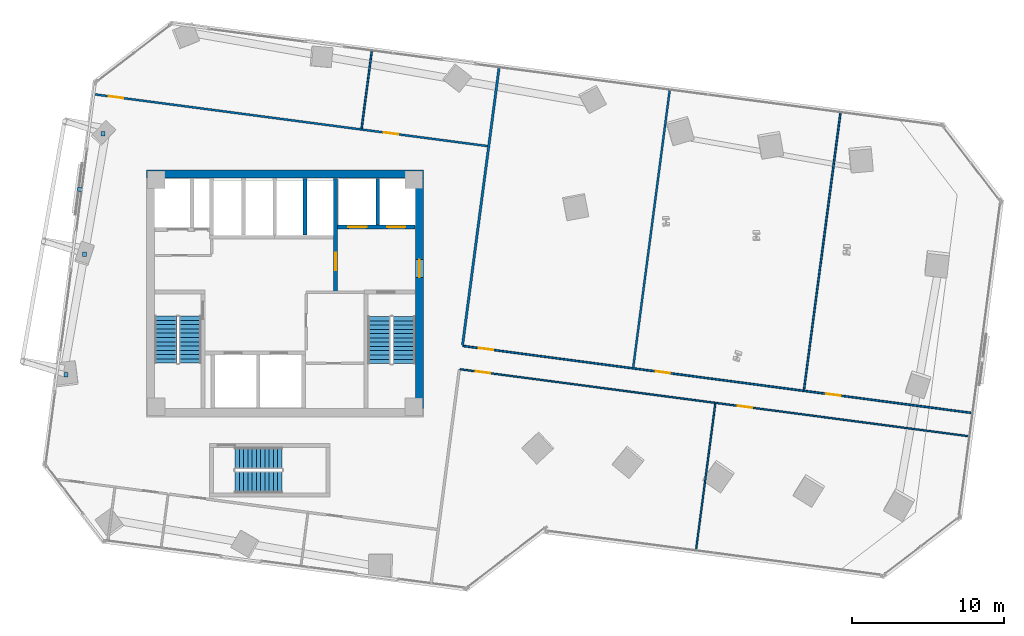
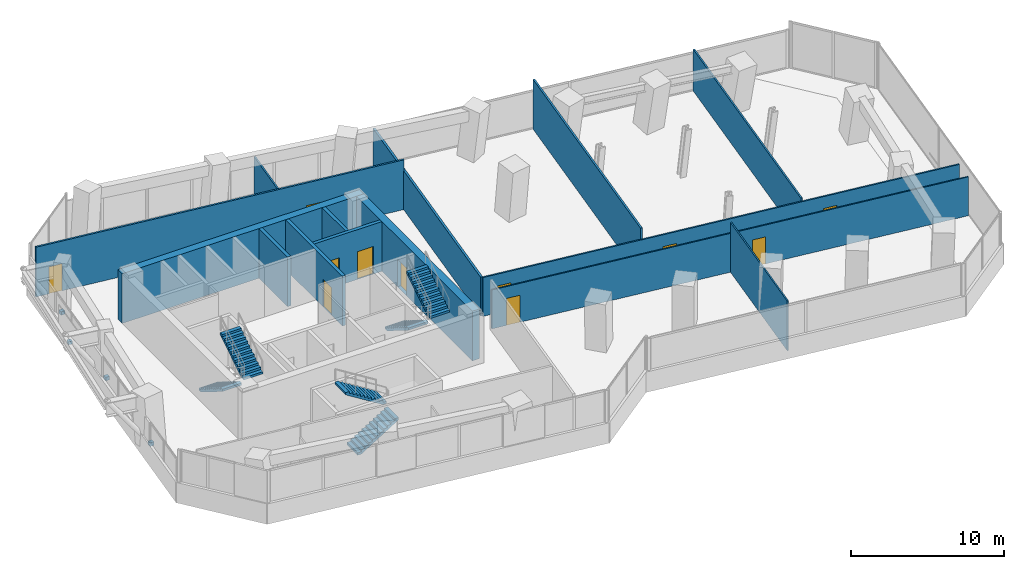
# One storey, part 19 of 24: 14 walls, 11 doors, 6 stair flights, 4 discrete accessories, 11 openings, 3 elements without a shape of their own.
"""IFC4 building model written with IfcOpenShell, lengths in metres."""

import ifcopenshell
import ifcopenshell.guid

model = None  # the IFC model being written
_history = None  # IfcOwnerHistory: only IFC2X3 demands one
_inside = {}  # id of a spatial element -> (the spatial element, [elements in it])
_under = {}  # id of a project, library or spatial element -> (it, [spatial elements below it])
_declared = {}  # id of a project -> (the project, [libraries it declares])
_typed = {}  # id of a type object -> (the type object, [elements of that type])
_made_of = {}  # id of a material, layer set ... -> (it, [elements and type objects made of it])


def new_model(schema):
    """Start an empty IFC model of exactly this schema.

    Asked for "IFC4X3", IfcOpenShell would pick the latest addendum, in which some entities
    have other attributes; the version numbers below select the first issue.
    IFC2X3 requires an IfcOwnerHistory on every rooted entity: one is made here for all.
    """
    global model, _history
    if schema == "IFC4X3":
        model = ifcopenshell.file(schema_version=(4, 3, 0, 0))
    else:
        model = ifcopenshell.file(schema=schema)
    _inside.clear()
    _under.clear()
    _declared.clear()
    _typed.clear()
    _made_of.clear()
    _history = None
    if model.schema == "IFC2X3":
        org = make("IfcOrganization", Name="unknown")
        user = make(
            "IfcPersonAndOrganization",
            ThePerson=make("IfcPerson", FamilyName="unknown"),
            TheOrganization=org,
        )
        app = make(
            "IfcApplication",
            ApplicationDeveloper=org,
            Version="unknown",
            ApplicationFullName="unknown",
            ApplicationIdentifier="unknown",
        )
        _history = make(
            "IfcOwnerHistory",
            OwningUser=user,
            OwningApplication=app,
            ChangeAction="ADDED",
            CreationDate=0,
        )
    return model


def make(cls, **values):
    """One entity of the class cls with the attributes given. An attribute that is None is left unset."""
    return model.create_entity(
        cls, **{name: value for name, value in values.items() if value is not None}
    )


def rooted(cls, **values):
    """An entity with a GlobalId (a new one), such as an element, a storey or a relation."""
    return make(cls, GlobalId=ifcopenshell.guid.new(), OwnerHistory=_history, **values)


def si_unit(unit_type, name, prefix=None):
    """IfcSIUnit, for example si_unit("LENGTHUNIT", "METRE", prefix="MILLI")."""
    return make("IfcSIUnit", UnitType=unit_type, Prefix=prefix, Name=name)


def assignment(units):
    """IfcUnitAssignment: the units of a project."""
    return None if units is None else make("IfcUnitAssignment", Units=units)


def point(xyz):
    """IfcCartesianPoint."""
    return None if xyz is None else make("IfcCartesianPoint", Coordinates=xyz)


def direction(xyz):
    """IfcDirection."""
    return None if xyz is None else make("IfcDirection", DirectionRatios=xyz)


def frame(location, z_axis=None, x_axis=None):
    """IfcAxis2Placement3D, a coordinate frame: its origin and axes. An axis left out is left unset."""
    return make(
        "IfcAxis2Placement3D",
        Location=point(location),
        Axis=direction(z_axis),
        RefDirection=direction(x_axis),
    )


def frame_2d(location, x_axis=None):
    """IfcAxis2Placement2D, a coordinate frame in the plane: its origin and x axis."""
    return make(
        "IfcAxis2Placement2D", Location=point(location), RefDirection=direction(x_axis)
    )


def origin():
    """The frame at (0, 0, 0) with its axes left unset."""
    return frame((0.0, 0.0, 0.0))


def origin_2d():
    """The frame at (0, 0) in the plane with its x axis left unset."""
    return frame_2d((0.0, 0.0))


def place(relative_to, where):
    """IfcLocalPlacement: puts the frame where relative to a parent placement (None: the world)."""
    return make(
        "IfcLocalPlacement", PlacementRelTo=relative_to, RelativePlacement=where
    )


def context(
    kind, dimensions, precision=None, world=None, true_north=None, identifier=None
):
    """IfcGeometricRepresentationContext, for example the 3D "Model" context."""
    return make(
        "IfcGeometricRepresentationContext",
        ContextIdentifier=identifier,
        ContextType=kind,
        CoordinateSpaceDimension=dimensions,
        Precision=precision,
        WorldCoordinateSystem=world,
        TrueNorth=true_north,
    )


def subcontext(parent, identifier, kind, view, scale=None):
    """IfcGeometricRepresentationSubContext, for example "Body" below "Model"."""
    return make(
        "IfcGeometricRepresentationSubContext",
        ContextIdentifier=identifier,
        ContextType=kind,
        ParentContext=parent,
        TargetScale=scale,
        TargetView=view,
    )


def project(units=None, contexts=None):
    """IfcProject with its units and contexts."""
    return rooted(
        "IfcProject",
        Name="project",
        RepresentationContexts=contexts,
        UnitsInContext=assignment(units),
    )


def spatial(cls, under=None, at=None, **own):
    """A site, building, storey or space (cls), placed at a placement, below another one or the project."""
    s = rooted(cls, ObjectPlacement=at, **own)
    if under is not None:
        _under.setdefault(under.id(), (under, []))[1].append(s)
    return s


def polyline(points):
    """IfcPolyline through the points."""
    return make("IfcPolyline", Points=[point(p) for p in points])


def profile(cls, at=None, kind="AREA", **sizes):
    """A parametric profile (cls). Its sizes go by their IFC names, for example OverallWidth=200.0."""
    return make(cls, ProfileType=kind, Position=at, **sizes)


def rectangle(**sizes):
    """IfcRectangleProfileDef."""
    return profile("IfcRectangleProfileDef", **sizes)


def outline(outer, holes=None, kind="AREA"):
    """IfcArbitraryClosedProfileDef: a profile drawn as a closed curve; with holes, ...WithVoids."""
    if holes is None:
        return make("IfcArbitraryClosedProfileDef", ProfileType=kind, OuterCurve=outer)
    return make(
        "IfcArbitraryProfileDefWithVoids",
        ProfileType=kind,
        OuterCurve=outer,
        InnerCurves=holes,
    )


def extrude(swept, where, along, depth):
    """IfcExtrudedAreaSolid: the profile swept, set in the frame where, extruded along a direction by depth."""
    return make(
        "IfcExtrudedAreaSolid",
        SweptArea=swept,
        Position=where,
        ExtrudedDirection=direction(along),
        Depth=depth,
    )


def shape(context_of_items, identifier, shape_type, items):
    """IfcShapeRepresentation: the items that make up one representation, for example the "Body"."""
    return make(
        "IfcShapeRepresentation",
        ContextOfItems=context_of_items,
        RepresentationIdentifier=identifier,
        RepresentationType=shape_type,
        Items=items,
    )


def source(mapping_origin, context_of_items, identifier, shape_type, items):
    """IfcRepresentationMap: a shape defined once, which mapped items show again and again."""
    return make(
        "IfcRepresentationMap",
        MappingOrigin=mapping_origin,
        MappedRepresentation=shape(context_of_items, identifier, shape_type, items),
    )


def transform(
    local_origin,
    x_axis=None,
    y_axis=None,
    z_axis=None,
    scale=None,
    scale2=None,
    scale3=None,
    uniform=True,
):
    """IfcCartesianTransformationOperator3D, or its non-uniform kind. x_axis, y_axis, z_axis: its Axis1, 2, 3."""
    if uniform:
        return make(
            "IfcCartesianTransformationOperator3D",
            Axis1=direction(x_axis),
            Axis2=direction(y_axis),
            LocalOrigin=point(local_origin),
            Scale=scale,
            Axis3=direction(z_axis),
        )
    return make(
        "IfcCartesianTransformationOperator3DnonUniform",
        Axis1=direction(x_axis),
        Axis2=direction(y_axis),
        LocalOrigin=point(local_origin),
        Scale=scale,
        Axis3=direction(z_axis),
        Scale2=scale2,
        Scale3=scale3,
    )


def mapped(mapping_source, mapping_target):
    """IfcMappedItem: shows the shape of a source again, moved by a transform."""
    return make(
        "IfcMappedItem", MappingSource=mapping_source, MappingTarget=mapping_target
    )


def material(Name=None, Category=None):
    """IfcMaterial."""
    return make("IfcMaterial", Name=Name, Category=Category)


def layer(
    of_material, thickness, ventilated=None, Name=None, Category=None, Priority=None
):
    """IfcMaterialLayer: one layer of a wall or slab, of a material (None: an air gap)."""
    return make(
        "IfcMaterialLayer",
        Material=of_material,
        LayerThickness=thickness,
        IsVentilated=ventilated,
        Name=Name,
        Category=Category,
        Priority=Priority,
    )


def layer_set(layers, Name=None):
    """IfcMaterialLayerSet."""
    return make("IfcMaterialLayerSet", MaterialLayers=layers, LayerSetName=Name)


def made_of(thing, what):
    """Note that an element or type object is made of a material, layer set ...; save() writes the relation."""
    if what is not None:
        _made_of.setdefault(what.id(), (what, []))[1].append(thing)
    return thing


def type_object(cls, material=None, **own):
    """A type object (cls), such as IfcWallType, which elements share."""
    return made_of(rooted(cls, **own), material)


def element(
    cls,
    number,
    at=None,
    inside=None,
    cuts=None,
    type_object=None,
    material=None,
    context=None,
    identifier="Body",
    shape_type=None,
    held_by="IfcProductDefinitionShape",
    body=None,
    shapes=None,
    **own,
):
    """One element of the class cls, such as IfcWall. Its Tag is "e" and its number.

    at: its placement. inside: the storey or other place that contains it. cuts: it is an
    opening in that element (IfcRelVoidsElement). A single representation is given by context,
    identifier, shape_type and body (its items); several are given by shapes. held_by: the class
    of the entity that holds the representations. save() writes the other relations.
    """
    e = rooted(cls, Tag="e%d" % number, ObjectPlacement=at, **own)
    if body is not None:
        shapes = [shape(context, identifier, shape_type, body)]
    if shapes is not None:
        e.Representation = make(held_by, Representations=shapes)
    if inside is not None:
        _inside.setdefault(inside.id(), (inside, []))[1].append(e)
    if cuts is not None:
        rooted(
            "IfcRelVoidsElement", RelatingBuildingElement=cuts, RelatedOpeningElement=e
        )
    if type_object is not None:
        _typed.setdefault(type_object.id(), (type_object, []))[1].append(e)
    return made_of(e, material)


def fill(opening, filler):
    """IfcRelFillsElement: the door or window that sits in an opening."""
    return rooted(
        "IfcRelFillsElement",
        RelatingOpeningElement=opening,
        RelatedBuildingElement=filler,
    )


def aggregate(whole, parts):
    """IfcRelAggregates: a whole, such as a stair, and the parts it consists of."""
    return rooted("IfcRelAggregates", RelatingObject=whole, RelatedObjects=parts)


def save(model, path):
    """Write the relations noted so far, then the file.

    IfcRelAggregates (storeys below a building ...), IfcRelContainedInSpatialStructure (elements
    in a storey), IfcRelDefinesByType, IfcRelAssociatesMaterial and IfcRelDeclares: one each for
    every whole, place, type object, material and project.
    """
    for whole, parts in _under.values():
        aggregate(whole, parts)
    for where, things in _inside.values():
        rooted(
            "IfcRelContainedInSpatialStructure",
            RelatedElements=things,
            RelatingStructure=where,
        )
    for kind, things in _typed.values():
        rooted("IfcRelDefinesByType", RelatedObjects=things, RelatingType=kind)
    for what, things in _made_of.values():
        rooted("IfcRelAssociatesMaterial", RelatedObjects=things, RelatingMaterial=what)
    for by, libraries in _declared.values():
        rooted("IfcRelDeclares", RelatingContext=by, RelatedDefinitions=libraries)
    model.write(path)


model = new_model("IFC4")

# Units and contexts
model_context = context("Model", 3, precision=1e-05, world=origin(), true_north=direction((0.0, 1.0)))
body_context = subcontext(model_context, "Body", "Model", "MODEL_VIEW")
ifc_project = project(units=[si_unit("LENGTHUNIT", "METRE"), si_unit("AREAUNIT", "SQUARE_METRE"), si_unit("VOLUMEUNIT", "CUBIC_METRE"), si_unit("PLANEANGLEUNIT", "RADIAN"), si_unit("MASSUNIT", "GRAM", prefix="KILO")], contexts=[model_context])

# Site, building, storey
site_placement = place(None, origin())
site = spatial("IfcSite", under=ifc_project, at=site_placement, CompositionType="ELEMENT")
building_placement = place(site_placement, origin())
building = spatial("IfcBuilding", under=site, at=building_placement, Name="Torre Montelarca", CompositionType="ELEMENT")
storey_placement = place(building_placement, frame((0.0, 0.0, 70.60009765625)))
storey = spatial("IfcBuildingStorey", under=building, at=storey_placement, Name="L15", CompositionType="ELEMENT", Elevation=70.60009765625)

# Wall, opening, door
ifc_material_1 = material(Name="Concrete C40/50", Category="concrete")
ifc_layer_1 = layer(ifc_material_1, 0.25, Name="Concrete C40/50", Category="concrete")
ifc_layer_set_1 = layer_set([ifc_layer_1], Name="Concrete C40/50")
wall_type_1 = type_object("IfcWallType", Name="CW-SHAFT-250", PredefinedType="SHEAR", material=ifc_layer_set_1)
wall_1_placement = place(storey_placement, frame((21.320068359375, 32.1201171875, 0.0), z_axis=(0.0, 0.0, 1.0), x_axis=(0.0, 1.0, 0.0)))
wall_1 = element("IfcWall", 1, at=wall_1_placement, inside=storey, type_object=wall_type_1, Name="L15 Core Shear Wall SH-FFL-W", PredefinedType="SHEAR", context=body_context, shape_type="SweptSolid", body=[
    extrude(rectangle(XDim=7.419921875, YDim=0.25, at=frame_2d((3.7099609375, 0.0))), origin(), (0.0, 0.0, 1.0), 3.9599609375),
])
opening_1_placement = place(wall_1_placement, frame((1.39990234375, 0.0, 0.0)))
opening_1 = element("IfcOpeningElement", 2, at=opening_1_placement, cuts=wall_1, Name="Opening FD-LB1", PredefinedType="OPENING", context=body_context, shape_type="SweptSolid", body=[
    extrude(rectangle(XDim=1.14990234375, YDim=2.199951171875, at=frame_2d((0.574951171875, 1.10009765625))), frame((0.0, 0.135009765625, 0.0), z_axis=(0.0, -1.0, 0.0), x_axis=(1.0, 0.0, 0.0)), (0.0, 0.0, 1.0), 0.27001953125),
])
ifc_material_2 = material(Name="Acoustic timber-veneered fire door", Category="wood")
door_type_1 = type_object("IfcDoorType", Name="DR-LOBBY-115", OperationType="NOTDEFINED", PredefinedType="DOOR", material=ifc_material_2)
shared_shape_1 = source(origin(), body_context, "Body", "SweptSolid", [
    extrude(rectangle(XDim=1.14990234375, YDim=2.199951171875, at=frame_2d((0.574951171875, 1.10009765625))), frame((0.0, 0.02490234375, 0.0), z_axis=(0.0, -1.0, 0.0), x_axis=(1.0, 0.0, 0.0)), (0.0, 0.0, 1.0), 0.050048828125),
])
door_1_placement = place(opening_1_placement, origin())
door_1 = element("IfcDoor", 3, at=door_1_placement, inside=storey, type_object=door_type_1, Name="L15 Lift Lobby to Firefighting Lobby Smoke Door", OperationType="SINGLE_SWING_LEFT", OverallHeight=2.199951171875, OverallWidth=1.14990234375, PredefinedType="DOOR", context=body_context, shape_type="MappedRepresentation", body=[
    mapped(shared_shape_1, transform((0.0, 0.0, 0.0), scale=1.0)),
])
fill(opening_1, door_1)

# Wall, openings, doors
wall_2_placement = place(storey_placement, frame((21.449951171875, 36.35009765625, 0.0), z_axis=(0.0, 0.0, 1.0), x_axis=(1.0, 0.0, 0.0)))
wall_2 = element("IfcWall", 4, at=wall_2_placement, inside=storey, type_object=wall_type_1, Name="L15 Core Shear Wall SH-FF-S", PredefinedType="SHEAR", context=body_context, shape_type="SweptSolid", body=[
    extrude(rectangle(XDim=5.090087890625, YDim=0.25, at=frame_2d((2.544921875, 0.0))), origin(), (0.0, 0.0, 1.0), 3.9599609375),
])
opening_2_placement = place(wall_2_placement, frame((0.699951171875, 0.0, 0.0)))
opening_2 = element("IfcOpeningElement", 5, at=opening_2_placement, cuts=wall_2, Name="Opening LD-120", PredefinedType="OPENING", context=body_context, shape_type="SweptSolid", body=[
    extrude(rectangle(XDim=1.199951171875, YDim=2.199951171875, at=frame_2d((0.60009765625, 1.10009765625))), frame((0.0, 0.135009765625, 0.0), z_axis=(0.0, -1.0, 0.0), x_axis=(1.0, 0.0, 0.0)), (0.0, 0.0, 1.0), 0.27001953125),
])
opening_3_placement = place(wall_2_placement, frame((3.25, 0.0, 0.0)))
opening_3 = element("IfcOpeningElement", 6, at=opening_3_placement, cuts=wall_2, Name="Opening LD-120", PredefinedType="OPENING", context=body_context, shape_type="SweptSolid", body=[
    extrude(rectangle(XDim=1.199951171875, YDim=2.199951171875, at=frame_2d((0.60009765625, 1.10009765625))), frame((0.0, 0.135009765625, 0.0), z_axis=(0.0, -1.0, 0.0), x_axis=(1.0, 0.0, 0.0)), (0.0, 0.0, 1.0), 0.27001953125),
])
ifc_material_3 = material(Name="Brushed stainless steel AISI 316", Category="steel")
door_type_2 = type_object("IfcDoorType", Name="DR-LIFT-120", OperationType="SLIDING_TO_RIGHT", PredefinedType="DOOR", material=ifc_material_3)
shared_shape_2 = source(origin(), body_context, "Body", "SweptSolid", [
    extrude(rectangle(XDim=1.199951171875, YDim=2.199951171875, at=frame_2d((0.60009765625, 1.10009765625))), frame((0.0, 0.02490234375, 0.0), z_axis=(0.0, -1.0, 0.0), x_axis=(1.0, 0.0, 0.0)), (0.0, 0.0, 1.0), 0.050048828125),
])
door_2_placement = place(opening_2_placement, origin())
door_2 = element("IfcDoor", 7, at=door_2_placement, inside=storey, type_object=door_type_2, Name="L15 Lift Landing Sliding Door FF-1", OperationType="SLIDING_TO_LEFT", OverallHeight=2.199951171875, OverallWidth=1.199951171875, PredefinedType="DOOR", context=body_context, shape_type="MappedRepresentation", body=[
    mapped(shared_shape_2, transform((0.0, 0.0, 0.0), scale=1.0)),
])
fill(opening_2, door_2)
door_3_placement = place(opening_3_placement, origin())
door_3 = element("IfcDoor", 8, at=door_3_placement, inside=storey, type_object=door_type_2, Name="L15 Lift Landing Sliding Door FF-2", OperationType="SLIDING_TO_RIGHT", OverallHeight=2.199951171875, OverallWidth=1.199951171875, PredefinedType="DOOR", context=body_context, shape_type="MappedRepresentation", body=[
    mapped(shared_shape_2, transform((0.0, 0.0, 0.0), scale=1.0)),
])
fill(opening_3, door_3)

# Walls
wall_3_placement = place(storey_placement, frame((24.080078125, 36.47998046875, 0.0), z_axis=(0.0, 0.0, 1.0), x_axis=(0.0, 1.0, 0.0)))
element("IfcWall", 9, at=wall_3_placement, inside=storey, type_object=wall_type_1, Name="L15 Core Shear Wall SH-FF-M", PredefinedType="SHEAR", context=body_context, shape_type="SweptSolid", body=[
    extrude(rectangle(XDim=3.06005859375, YDim=0.25, at=frame_2d((1.530029296875, 0.0))), origin(), (0.0, 0.0, 1.0), 3.9599609375),
])
wall_4_placement = place(storey_placement, frame((19.320068359375, 35.81005859375, 0.0), z_axis=(0.0, 0.0, 1.0), x_axis=(0.0, 1.0, 0.0)))
element("IfcWall", 10, at=wall_4_placement, inside=storey, type_object=wall_type_1, Name="L15 Core Shear Wall SH-PLH-M", PredefinedType="SHEAR", context=body_context, shape_type="SweptSolid", body=[
    extrude(rectangle(XDim=3.72998046875, YDim=0.25, at=frame_2d((1.864990234375, 0.0))), origin(), (0.0, 0.0, 1.0), 3.9599609375),
])

# Wall, opening, door
ifc_material_4 = material(Name="Concrete C70/85", Category="concrete")
ifc_layer_2 = layer(ifc_material_4, 0.550048828125, Name="Concrete C70/85", Category="concrete")
ifc_layer_set_2 = layer_set([ifc_layer_2], Name="Concrete C70/85")
wall_type_2 = type_object("IfcWallType", Name="CW-SHEAR-550", PredefinedType="SHEAR", material=ifc_layer_set_2)
wall_5_placement = place(storey_placement, frame((26.824951171875, 24.449951171875, 0.0), z_axis=(0.0, 0.0, 1.0), x_axis=(0.0, 1.0, 0.0)))
wall_5 = element("IfcWall", 11, at=wall_5_placement, inside=storey, type_object=wall_type_2, Name="L15 Core Shear Wall CW-E", PredefinedType="SHEAR", context=body_context, shape_type="SweptSolid", body=[
    extrude(rectangle(XDim=15.10009765625, YDim=0.550048828125, at=frame_2d((7.550048828125, 0.0))), origin(), (0.0, 0.0, 1.0), 3.9599609375),
])
opening_4_placement = place(wall_5_placement, frame((8.60009765625, 0.0, 0.0)))
opening_4 = element("IfcOpeningElement", 12, at=opening_4_placement, cuts=wall_5, Name="Opening FD-LB1", PredefinedType="OPENING", context=body_context, shape_type="SweptSolid", body=[
    extrude(rectangle(XDim=1.14990234375, YDim=2.199951171875, at=frame_2d((0.574951171875, 1.10009765625))), frame((0.0, 0.28515625, 0.0), z_axis=(0.0, -1.0, 0.0), x_axis=(1.0, 0.0, 0.0)), (0.0, 0.0, 1.0), 0.570068359375),
])
door_4_placement = place(opening_4_placement, origin())
door_4 = element("IfcDoor", 13, at=door_4_placement, inside=storey, type_object=door_type_1, Name="L15 Firefighting Lift Lobby Corridor Fire Door", OperationType="SINGLE_SWING_RIGHT", OverallHeight=2.199951171875, OverallWidth=1.14990234375, PredefinedType="DOOR", context=body_context, shape_type="MappedRepresentation", body=[
    mapped(shared_shape_1, transform((0.0, 0.0, 0.0), scale=1.0)),
])
fill(opening_4, door_4)

# Walls
wall_6_placement = place(storey_placement, frame((8.89990234375, 39.824951171875, 0.0), z_axis=(0.0, 0.0, 1.0), x_axis=(1.0, 0.0, 0.0)))
element("IfcWall", 14, at=wall_6_placement, inside=storey, type_object=wall_type_2, Name="L15 Core Shear Wall CW-N1", PredefinedType="SHEAR", context=body_context, shape_type="SweptSolid", body=[
    extrude(rectangle(XDim=18.2001953125, YDim=0.550048828125, at=frame_2d((9.10009765625, 0.0))), origin(), (0.0, 0.0, 1.0), 3.9599609375),
])
ifc_material_5 = material(Name="Gypsum plasterboard on steel stud", Category="steel")
ifc_layer_3 = layer(ifc_material_5, 0.159912109375, Name="Gypsum plasterboard on steel stud", Category="steel")
ifc_layer_set_3 = layer_set([ifc_layer_3], Name="Gypsum plasterboard on steel stud")
wall_type_3 = type_object("IfcWallType", Name="PW-FIRE-160", PredefinedType="PARTITIONING", material=ifc_layer_set_3)
wall_7_placement = place(storey_placement, frame((29.644287109375, 28.587890625, 0.0), z_axis=(0.0, 0.0, 1.0), x_axis=(0.130525105318, 0.991445004467, 0.0)))
element("IfcWall", 15, at=wall_7_placement, inside=storey, type_object=wall_type_3, Name="L15 Interior Partition W-L15-ECN", PredefinedType="PARTITIONING", context=body_context, shape_type="SweptSolid", body=[
    extrude(rectangle(XDim=18.33984375, YDim=0.159912109375, at=frame_2d((9.169921875, 0.0))), origin(), (0.0, 0.0, 1.0), 3.094970703125),
])

# Wall, openings, doors
ifc_material_6 = material(Name="Acoustic laminated glass partition", Category="glass")
ifc_layer_4 = layer(ifc_material_6, 0.10009765625, Name="Acoustic laminated glass partition", Category="glass")
ifc_layer_set_4 = layer_set([ifc_layer_4], Name="Acoustic laminated glass partition")
wall_type_4 = type_object("IfcWallType", Name="PW-GLAZ-100", PredefinedType="PARTITIONING", material=ifc_layer_set_4)
wall_8_placement = place(storey_placement, frame((29.477783203125, 27.01611328125, 0.0), z_axis=(0.0, 0.0, 1.0), x_axis=(0.991444590622, -0.130528248771, 0.0)))
wall_8 = element("IfcWall", 16, at=wall_8_placement, inside=storey, type_object=wall_type_4, Name="L15 Interior Partition W-L15-SE-N", PredefinedType="PARTITIONING", context=body_context, shape_type="SweptSolid", body=[
    extrude(rectangle(XDim=33.659912109375, YDim=0.10009765625, at=frame_2d((16.830078125, 0.0))), origin(), (0.0, 0.0, 1.0), 3.094970703125),
])
opening_5_placement = place(wall_8_placement, frame((1.050048828125, 0.0, 0.0)))
opening_5 = element("IfcOpeningElement", 17, at=opening_5_placement, cuts=wall_8, Name="Opening ID-095", PredefinedType="OPENING", context=body_context, shape_type="SweptSolid", body=[
    extrude(rectangle(XDim=0.949951171875, YDim=2.14990234375, at=frame_2d((0.47509765625, 1.074951171875))), frame((0.0, 0.06005859375, 0.0), z_axis=(0.0, -1.0, 0.0), x_axis=(1.0, 0.0, 0.0)), (0.0, 0.0, 1.0), 0.1201171875),
])
opening_6_placement = place(wall_8_placement, frame((18.389892578125, 0.0, 0.0)))
opening_6 = element("IfcOpeningElement", 18, at=opening_6_placement, cuts=wall_8, Name="Opening ID-095", PredefinedType="OPENING", context=body_context, shape_type="SweptSolid", body=[
    extrude(rectangle(XDim=0.949951171875, YDim=2.14990234375, at=frame_2d((0.47509765625, 1.074951171875))), frame((0.0, 0.06005859375, 0.0), z_axis=(0.0, -1.0, 0.0), x_axis=(1.0, 0.0, 0.0)), (0.0, 0.0, 1.0), 0.1201171875),
])
ifc_material_7 = material(Name="Hardwood acoustic timber veneer", Category="wood")
door_type_3 = type_object("IfcDoorType", Name="DR-INT-095", OperationType="NOTDEFINED", PredefinedType="DOOR", material=ifc_material_7)
shared_shape_3 = source(origin(), body_context, "Body", "SweptSolid", [
    extrude(rectangle(XDim=0.949951171875, YDim=2.14990234375, at=frame_2d((0.47509765625, 1.074951171875))), frame((0.0, 0.02490234375, 0.0), z_axis=(0.0, -1.0, 0.0), x_axis=(1.0, 0.0, 0.0)), (0.0, 0.0, 1.0), 0.050048828125),
])
door_5_placement = place(opening_5_placement, origin())
door_5 = element("IfcDoor", 19, at=door_5_placement, inside=storey, type_object=door_type_3, Name="L15 Interior Door 13", OperationType="SINGLE_SWING_LEFT", OverallHeight=2.14990234375, OverallWidth=0.949951171875, PredefinedType="DOOR", context=body_context, shape_type="MappedRepresentation", body=[
    mapped(shared_shape_3, transform((0.0, 0.0, 0.0), scale=1.0)),
])
fill(opening_5, door_5)
door_6_placement = place(opening_6_placement, origin())
door_6 = element("IfcDoor", 20, at=door_6_placement, inside=storey, type_object=door_type_3, Name="L15 Interior Door 14", OperationType="SINGLE_SWING_RIGHT", OverallHeight=2.14990234375, OverallWidth=0.949951171875, PredefinedType="DOOR", context=body_context, shape_type="MappedRepresentation", body=[
    mapped(shared_shape_3, transform((0.0, 0.0, 0.0), scale=1.0)),
])
fill(opening_6, door_6)

# Walls
wall_9_placement = place(storey_placement, frame((44.96435546875, 15.17333984375, 0.0), z_axis=(0.0, 0.0, 1.0), x_axis=(0.130519754353, 0.991445708914, 0.0)))
element("IfcWall", 21, at=wall_9_placement, inside=storey, type_object=wall_type_4, Name="L15 Interior Partition W-L15-SEDIV-1", PredefinedType="PARTITIONING", context=body_context, shape_type="SweptSolid", body=[
    extrude(rectangle(XDim=9.679931640625, YDim=0.10009765625, at=frame_2d((4.83984375, 0.0))), origin(), (0.0, 0.0, 1.0), 3.9599609375),
])
ifc_layer_5 = layer(ifc_material_5, 0.114990234375, Name="Gypsum plasterboard on steel stud", Category="steel")
ifc_layer_set_5 = layer_set([ifc_layer_5], Name="Gypsum plasterboard on steel stud")
wall_type_5 = type_object("IfcWallType", Name="PW-PART-115", PredefinedType="PARTITIONING", material=ifc_layer_set_5)
wall_10_placement = place(storey_placement, frame((23.0205078125, 42.78369140625, 0.0), z_axis=(0.0, 0.0, 1.0), x_axis=(0.130539454953, 0.991443115212, 0.0)))
element("IfcWall", 22, at=wall_10_placement, inside=storey, type_object=wall_type_5, Name="L15 Interior Partition W-L15-NDIV-1", PredefinedType="PARTITIONING", context=body_context, shape_type="SweptSolid", body=[
    extrude(rectangle(XDim=5.130126953125, YDim=0.114990234375, at=frame_2d((2.56494140625, 0.0))), origin(), (0.0, 0.0, 1.0), 3.094970703125),
])

# Wall, openings, doors
wall_11_placement = place(storey_placement, frame((29.6787109375, 28.54296875, 0.0), z_axis=(0.0, 0.0, 1.0), x_axis=(0.991444714197, -0.130527310133, 0.0)))
wall_11 = element("IfcWall", 23, at=wall_11_placement, inside=storey, type_object=wall_type_5, Name="L15 Interior Partition W-L15-NE-S", PredefinedType="PARTITIONING", context=body_context, shape_type="SweptSolid", body=[
    extrude(rectangle(XDim=33.66015625, YDim=0.114990234375, at=frame_2d((16.830078125, 0.0))), origin(), (0.0, 0.0, 1.0), 3.094970703125),
])
opening_7_placement = place(wall_11_placement, frame((1.050048828125, 0.0, 0.0)))
opening_7 = element("IfcOpeningElement", 24, at=opening_7_placement, cuts=wall_11, Name="Opening ID-095", PredefinedType="OPENING", context=body_context, shape_type="SweptSolid", body=[
    extrude(rectangle(XDim=0.949951171875, YDim=2.14990234375, at=frame_2d((0.47509765625, 1.074951171875))), frame((0.0, 0.0673828125, 0.0), z_axis=(0.0, -1.0, 0.0), x_axis=(1.0, 0.0, 0.0)), (0.0, 0.0, 1.0), 0.135009765625),
])
opening_8_placement = place(wall_11_placement, frame((12.739990234375, 0.0, 0.0)))
opening_8 = element("IfcOpeningElement", 25, at=opening_8_placement, cuts=wall_11, Name="Opening ID-095", PredefinedType="OPENING", context=body_context, shape_type="SweptSolid", body=[
    extrude(rectangle(XDim=0.949951171875, YDim=2.14990234375, at=frame_2d((0.47509765625, 1.074951171875))), frame((0.0, 0.0673828125, 0.0), z_axis=(0.0, -1.0, 0.0), x_axis=(1.0, 0.0, 0.0)), (0.0, 0.0, 1.0), 0.135009765625),
])
opening_9_placement = place(wall_11_placement, frame((24.0400390625, 0.0, 0.0)))
opening_9 = element("IfcOpeningElement", 26, at=opening_9_placement, cuts=wall_11, Name="Opening ID-095", PredefinedType="OPENING", context=body_context, shape_type="SweptSolid", body=[
    extrude(rectangle(XDim=0.949951171875, YDim=2.14990234375, at=frame_2d((0.47509765625, 1.074951171875))), frame((0.0, 0.0673828125, 0.0), z_axis=(0.0, -1.0, 0.0), x_axis=(1.0, 0.0, 0.0)), (0.0, 0.0, 1.0), 0.135009765625),
])
door_7_placement = place(opening_7_placement, origin())
door_7 = element("IfcDoor", 27, at=door_7_placement, inside=storey, type_object=door_type_3, Name="L15 Interior Door 10", OperationType="SINGLE_SWING_LEFT", OverallHeight=2.14990234375, OverallWidth=0.949951171875, PredefinedType="DOOR", context=body_context, shape_type="MappedRepresentation", body=[
    mapped(shared_shape_3, transform((0.0, 0.0, 0.0), scale=1.0)),
])
fill(opening_7, door_7)
door_8_placement = place(opening_8_placement, origin())
door_8 = element("IfcDoor", 28, at=door_8_placement, inside=storey, type_object=door_type_3, Name="L15 Interior Door 11", OperationType="SINGLE_SWING_RIGHT", OverallHeight=2.14990234375, OverallWidth=0.949951171875, PredefinedType="DOOR", context=body_context, shape_type="MappedRepresentation", body=[
    mapped(shared_shape_3, transform((0.0, 0.0, 0.0), scale=1.0)),
])
fill(opening_8, door_8)
door_9_placement = place(opening_9_placement, origin())
door_9 = element("IfcDoor", 29, at=door_9_placement, inside=storey, type_object=door_type_3, Name="L15 Interior Door 12", OperationType="SINGLE_SWING_RIGHT", OverallHeight=2.14990234375, OverallWidth=0.949951171875, PredefinedType="DOOR", context=body_context, shape_type="MappedRepresentation", body=[
    mapped(shared_shape_3, transform((0.0, 0.0, 0.0), scale=1.0)),
])
fill(opening_9, door_9)

# Wall
wall_12_placement = place(storey_placement, frame((52.041015625, 25.63916015625, 0.0), z_axis=(0.0, 0.0, 1.0), x_axis=(0.130523382643, 0.991445231258, 0.0)))
element("IfcWall", 30, at=wall_12_placement, inside=storey, type_object=wall_type_5, Name="L15 Interior Partition W-L15-NEDIV-2", PredefinedType="PARTITIONING", context=body_context, shape_type="SweptSolid", body=[
    extrude(rectangle(XDim=18.340087890625, YDim=0.114990234375, at=frame_2d((9.169921875, 0.0))), origin(), (0.0, 0.0, 1.0), 3.322998046875),
])

# Wall, openings, doors
ifc_layer_6 = layer(ifc_material_5, 0.135009765625, Name="Gypsum plasterboard on steel stud", Category="steel")
ifc_layer_set_6 = layer_set([ifc_layer_6], Name="Gypsum plasterboard on steel stud")
wall_type_6 = type_object("IfcWallType", Name="PW-PART-135", PredefinedType="PARTITIONING", material=ifc_layer_set_6)
wall_13_placement = place(storey_placement, frame((5.546142578125, 45.0439453125, 0.0), z_axis=(0.0, 0.0, 1.0), x_axis=(0.99144534416, -0.13052252504, 0.0)))
wall_13 = element("IfcWall", 31, at=wall_13_placement, inside=storey, type_object=wall_type_6, Name="L15 Interior Partition W-L15-NBOT", PredefinedType="PARTITIONING", context=body_context, shape_type="SweptSolid", body=[
    extrude(rectangle(XDim=25.999755859375, YDim=0.135009765625, at=frame_2d((13.0, 0.0))), origin(), (0.0, 0.0, 1.0), 3.9599609375),
])
opening_10_placement = place(wall_13_placement, frame((0.909912109375, 0.0, 0.0)))
opening_10 = element("IfcOpeningElement", 32, at=opening_10_placement, cuts=wall_13, Name="Opening ID-095", PredefinedType="OPENING", context=body_context, shape_type="SweptSolid", body=[
    extrude(rectangle(XDim=0.949951171875, YDim=2.14990234375, at=frame_2d((0.47509765625, 1.074951171875))), frame((0.0, 0.07763671875, 0.0), z_axis=(0.0, -1.0, 0.0), x_axis=(1.0, 0.0, 0.0)), (0.0, 0.0, 1.0), 0.155029296875),
])
opening_11_placement = place(wall_13_placement, frame((19.110107421875, 0.0, 0.0)))
opening_11 = element("IfcOpeningElement", 33, at=opening_11_placement, cuts=wall_13, Name="Opening ID-095", PredefinedType="OPENING", context=body_context, shape_type="SweptSolid", body=[
    extrude(rectangle(XDim=0.949951171875, YDim=2.14990234375, at=frame_2d((0.47509765625, 1.074951171875))), frame((0.0, 0.07763671875, 0.0), z_axis=(0.0, -1.0, 0.0), x_axis=(1.0, 0.0, 0.0)), (0.0, 0.0, 1.0), 0.155029296875),
])
door_10_placement = place(opening_10_placement, origin())
door_10 = element("IfcDoor", 34, at=door_10_placement, inside=storey, type_object=door_type_3, Name="L15 Interior Door 08", OperationType="SINGLE_SWING_LEFT", OverallHeight=2.14990234375, OverallWidth=0.949951171875, PredefinedType="DOOR", context=body_context, shape_type="MappedRepresentation", body=[
    mapped(shared_shape_3, transform((0.0, 0.0, 0.0), scale=1.0)),
])
fill(opening_10, door_10)
door_11_placement = place(opening_11_placement, origin())
door_11 = element("IfcDoor", 35, at=door_11_placement, inside=storey, type_object=door_type_3, Name="L15 Interior Door 09", OperationType="SINGLE_SWING_RIGHT", OverallHeight=2.14990234375, OverallWidth=0.949951171875, PredefinedType="DOOR", context=body_context, shape_type="MappedRepresentation", body=[
    mapped(shared_shape_3, transform((0.0, 0.0, 0.0), scale=1.0)),
])
fill(opening_11, door_11)

# Wall
wall_14_placement = place(storey_placement, frame((40.837646484375, 27.1142578125, 0.0), z_axis=(0.0, 0.0, 1.0), x_axis=(0.130538190585, 0.991443281685, 0.0)))
element("IfcWall", 36, at=wall_14_placement, inside=storey, type_object=wall_type_6, Name="L15 Interior Partition W-L15-NEDIV-1", PredefinedType="PARTITIONING", context=body_context, shape_type="SweptSolid", body=[
    extrude(rectangle(XDim=18.33984375, YDim=0.135009765625, at=frame_2d((9.169921875, 0.0))), origin(), (0.0, 0.0, 1.0), 3.9599609375),
])

# Stair, stair flights
stair_type_1 = type_object("IfcStairType", Name="ST-CORE-ST1", PredefinedType="HALF_TURN_STAIR", material=ifc_material_1)
stair_1_placement = place(storey_placement, origin())
stair_1 = element("IfcStair", 37, at=stair_1_placement, inside=storey, type_object=stair_type_1, Name="L15 Protected Exit Stair ST1", PredefinedType="HALF_TURN_STAIR")
stair_flight_type_1 = type_object("IfcStairFlightType", Name="SFL-CORE-ST1", PredefinedType="STRAIGHT", material=ifc_material_1)
stair_flight_1_placement = place(storey_placement, frame((10.175048828125, 30.5, 0.0), z_axis=(0.0, 0.0, 1.0), x_axis=(0.0, -1.0, 0.0)))
stair_flight_1 = element("IfcStairFlight", 38, at=stair_flight_1_placement, type_object=stair_flight_type_1, Name="ST1 flight 1", NumberOfRisers=12, NumberOfTreads=11, PredefinedType="STRAIGHT", RiserHeight=0.175, TreadLength=0.28, context=body_context, shape_type="SweptSolid", body=[
    extrude(outline(polyline([(0.0, 0.0), (0.0, 0.175048828125), (0.280029296875, 0.175048828125), (0.280029296875, 0.35009765625), (0.56005859375, 0.35009765625), (0.56005859375, 0.52490234375), (0.840087890625, 0.52490234375), (0.840087890625, 0.699951171875), (1.1201171875, 0.699951171875), (1.1201171875, 0.875), (1.39990234375, 0.875), (1.39990234375, 1.050048828125), (1.679931640625, 1.050048828125), (1.679931640625, 1.22509765625), (1.9599609375, 1.22509765625), (1.9599609375, 1.39990234375), (2.239990234375, 1.39990234375), (2.239990234375, 1.574951171875), (2.52001953125, 1.574951171875), (2.52001953125, 1.75), (2.800048828125, 1.75), (2.800048828125, 1.925048828125), (3.080078125, 1.925048828125), (3.080078125, 2.10009765625), (3.080078125, 1.748291015625), (0.28271484375, 0.0), (0.0, 0.0)])), frame((0.0, 0.72509765625, 0.0), z_axis=(0.0, -1.0, 0.0), x_axis=(1.0, 0.0, 0.0)), (0.0, 0.0, 1.0), 1.449951171875),
])
stair_flight_2_placement = place(storey_placement, frame((11.77490234375, 27.419921875, 2.099853515625), z_axis=(0.0, 0.0, 1.0), x_axis=(0.0, 1.0, 0.0)))
stair_flight_2 = element("IfcStairFlight", 39, at=stair_flight_2_placement, type_object=stair_flight_type_1, Name="ST1 flight 2", NumberOfRisers=12, NumberOfTreads=11, PredefinedType="STRAIGHT", RiserHeight=0.175, TreadLength=0.28, context=body_context, shape_type="SweptSolid", body=[
    extrude(outline(polyline([(0.0, 0.0), (0.0, 0.175048828125), (0.280029296875, 0.175048828125), (0.280029296875, 0.35009765625), (0.56005859375, 0.35009765625), (0.56005859375, 0.52490234375), (0.840087890625, 0.52490234375), (0.840087890625, 0.699951171875), (1.1201171875, 0.699951171875), (1.1201171875, 0.875), (1.39990234375, 0.875), (1.39990234375, 1.050048828125), (1.679931640625, 1.050048828125), (1.679931640625, 1.22509765625), (1.9599609375, 1.22509765625), (1.9599609375, 1.39990234375), (2.239990234375, 1.39990234375), (2.239990234375, 1.574951171875), (2.52001953125, 1.574951171875), (2.52001953125, 1.75), (2.800048828125, 1.75), (2.800048828125, 1.925048828125), (3.080078125, 1.925048828125), (3.080078125, 2.10009765625), (3.080078125, 1.748291015625), (0.28271484375, 0.0), (0.0, 0.0)])), frame((0.0, 0.72509765625, 0.0), z_axis=(0.0, -1.0, 0.0), x_axis=(1.0, 0.0, 0.0)), (0.0, 0.0, 1.0), 1.449951171875),
])
aggregate(stair_1, [stair_flight_1, stair_flight_2])

stair_type_2 = type_object("IfcStairType", Name="ST-CORE-ST2", PredefinedType="HALF_TURN_STAIR", material=ifc_material_1)
stair_2_placement = place(storey_placement, origin())
stair_2 = element("IfcStair", 40, at=stair_2_placement, inside=storey, type_object=stair_type_2, Name="L15 Protected Exit Stair ST2", PredefinedType="HALF_TURN_STAIR")
stair_flight_type_2 = type_object("IfcStairFlightType", Name="SFL-CORE-ST2", PredefinedType="STRAIGHT", material=ifc_material_1)
stair_flight_3_placement = place(storey_placement, frame((24.179931640625, 30.469970703125, 0.0), z_axis=(0.0, 0.0, 1.0), x_axis=(0.0, -1.0, 0.0)))
stair_flight_3 = element("IfcStairFlight", 41, at=stair_flight_3_placement, type_object=stair_flight_type_2, Name="ST2 flight 1", NumberOfRisers=12, NumberOfTreads=11, PredefinedType="STRAIGHT", RiserHeight=0.175, TreadLength=0.28, context=body_context, shape_type="SweptSolid", body=[
    extrude(outline(polyline([(0.0, 0.0), (0.0, 0.175048828125), (0.280029296875, 0.175048828125), (0.280029296875, 0.35009765625), (0.56005859375, 0.35009765625), (0.56005859375, 0.52490234375), (0.840087890625, 0.52490234375), (0.840087890625, 0.699951171875), (1.1201171875, 0.699951171875), (1.1201171875, 0.875), (1.39990234375, 0.875), (1.39990234375, 1.050048828125), (1.679931640625, 1.050048828125), (1.679931640625, 1.22509765625), (1.9599609375, 1.22509765625), (1.9599609375, 1.39990234375), (2.239990234375, 1.39990234375), (2.239990234375, 1.574951171875), (2.52001953125, 1.574951171875), (2.52001953125, 1.75), (2.800048828125, 1.75), (2.800048828125, 1.925048828125), (3.080078125, 1.925048828125), (3.080078125, 2.10009765625), (3.080078125, 1.748291015625), (0.28271484375, 0.0), (0.0, 0.0)])), frame((0.0, 0.739990234375, 0.0), z_axis=(0.0, -1.0, 0.0), x_axis=(1.0, 0.0, 0.0)), (0.0, 0.0, 1.0), 1.47998046875),
])
stair_flight_4_placement = place(storey_placement, frame((25.81005859375, 27.389892578125, 2.099853515625), z_axis=(0.0, 0.0, 1.0), x_axis=(0.0, 1.0, 0.0)))
stair_flight_4 = element("IfcStairFlight", 42, at=stair_flight_4_placement, type_object=stair_flight_type_2, Name="ST2 flight 2", NumberOfRisers=12, NumberOfTreads=11, PredefinedType="STRAIGHT", RiserHeight=0.175, TreadLength=0.28, context=body_context, shape_type="SweptSolid", body=[
    extrude(outline(polyline([(0.0, 0.0), (0.0, 0.175048828125), (0.280029296875, 0.175048828125), (0.280029296875, 0.35009765625), (0.56005859375, 0.35009765625), (0.56005859375, 0.52490234375), (0.840087890625, 0.52490234375), (0.840087890625, 0.699951171875), (1.1201171875, 0.699951171875), (1.1201171875, 0.875), (1.39990234375, 0.875), (1.39990234375, 1.050048828125), (1.679931640625, 1.050048828125), (1.679931640625, 1.22509765625), (1.9599609375, 1.22509765625), (1.9599609375, 1.39990234375), (2.239990234375, 1.39990234375), (2.239990234375, 1.574951171875), (2.52001953125, 1.574951171875), (2.52001953125, 1.75), (2.800048828125, 1.75), (2.800048828125, 1.925048828125), (3.080078125, 1.925048828125), (3.080078125, 2.10009765625), (3.080078125, 1.748291015625), (0.28271484375, 0.0), (0.0, 0.0)])), frame((0.0, 0.739990234375, 0.0), z_axis=(0.0, -1.0, 0.0), x_axis=(1.0, 0.0, 0.0)), (0.0, 0.0, 1.0), 1.47998046875),
])
aggregate(stair_2, [stair_flight_3, stair_flight_4])

stair_type_3 = type_object("IfcStairType", Name="ST-CORE-ST3", PredefinedType="HALF_TURN_STAIR", material=ifc_material_1)
stair_3_placement = place(storey_placement, origin())
stair_3 = element("IfcStair", 43, at=stair_3_placement, inside=storey, type_object=stair_type_3, Name="L15 Low-Rise Exit Stair ST3", PredefinedType="HALF_TURN_STAIR")
stair_flight_type_3 = type_object("IfcStairFlightType", Name="SFL-CORE-ST3", PredefinedType="STRAIGHT", material=ifc_material_1)
stair_flight_5_placement = place(storey_placement, frame((14.719970703125, 19.610107421875, 0.0), z_axis=(0.0, 0.0, 1.0), x_axis=(1.0, 0.0, 0.0)))
stair_flight_5 = element("IfcStairFlight", 44, at=stair_flight_5_placement, type_object=stair_flight_type_3, Name="ST3 flight 1", NumberOfRisers=12, NumberOfTreads=11, PredefinedType="STRAIGHT", RiserHeight=0.175, TreadLength=0.28, context=body_context, shape_type="SweptSolid", body=[
    extrude(outline(polyline([(0.0, 0.0), (0.0, 0.175048828125), (0.280029296875, 0.175048828125), (0.280029296875, 0.35009765625), (0.56005859375, 0.35009765625), (0.56005859375, 0.52490234375), (0.840087890625, 0.52490234375), (0.840087890625, 0.699951171875), (1.1201171875, 0.699951171875), (1.1201171875, 0.875), (1.39990234375, 0.875), (1.39990234375, 1.050048828125), (1.679931640625, 1.050048828125), (1.679931640625, 1.22509765625), (1.9599609375, 1.22509765625), (1.9599609375, 1.39990234375), (2.239990234375, 1.39990234375), (2.239990234375, 1.574951171875), (2.52001953125, 1.574951171875), (2.52001953125, 1.75), (2.800048828125, 1.75), (2.800048828125, 1.925048828125), (3.080078125, 1.925048828125), (3.080078125, 2.10009765625), (3.080078125, 1.748291015625), (0.28271484375, 0.0), (0.0, 0.0)])), frame((0.0, 0.7099609375, 0.0), z_axis=(0.0, -1.0, 0.0), x_axis=(1.0, 0.0, 0.0)), (0.0, 0.0, 1.0), 1.419921875),
])
stair_flight_6_placement = place(storey_placement, frame((17.800048828125, 21.179931640625, 2.099853515625), z_axis=(0.0, 0.0, 1.0), x_axis=(-1.0, 0.0, 0.0)))
stair_flight_6 = element("IfcStairFlight", 45, at=stair_flight_6_placement, type_object=stair_flight_type_3, Name="ST3 flight 2", NumberOfRisers=12, NumberOfTreads=11, PredefinedType="STRAIGHT", RiserHeight=0.175, TreadLength=0.28, context=body_context, shape_type="SweptSolid", body=[
    extrude(outline(polyline([(0.0, 0.0), (0.0, 0.175048828125), (0.280029296875, 0.175048828125), (0.280029296875, 0.35009765625), (0.56005859375, 0.35009765625), (0.56005859375, 0.52490234375), (0.840087890625, 0.52490234375), (0.840087890625, 0.699951171875), (1.1201171875, 0.699951171875), (1.1201171875, 0.875), (1.39990234375, 0.875), (1.39990234375, 1.050048828125), (1.679931640625, 1.050048828125), (1.679931640625, 1.22509765625), (1.9599609375, 1.22509765625), (1.9599609375, 1.39990234375), (2.239990234375, 1.39990234375), (2.239990234375, 1.574951171875), (2.52001953125, 1.574951171875), (2.52001953125, 1.75), (2.800048828125, 1.75), (2.800048828125, 1.925048828125), (3.080078125, 1.925048828125), (3.080078125, 2.10009765625), (3.080078125, 1.748291015625), (0.28271484375, 0.0), (0.0, 0.0)])), frame((0.0, 0.7099609375, 0.0), z_axis=(0.0, -1.0, 0.0), x_axis=(1.0, 0.0, 0.0)), (0.0, 0.0, 1.0), 1.419921875),
])
aggregate(stair_3, [stair_flight_5, stair_flight_6])

# Discrete accessories
ifc_material_8 = material(Name="Stainless steel AISI 316", Category="steel")
discrete_accessory_type = type_object("IfcDiscreteAccessoryType", Name="ACC-BRACKET-SS", PredefinedType="BRACKET", material=ifc_material_8)
shared_shape_4 = source(origin(), body_context, "Body", "SweptSolid", [
    extrude(rectangle(XDim=0.280029296875, YDim=0.280029296875, at=origin_2d()), origin(), (0.0, 0.0, 1.0), 0.280029296875),
])
for number, where, z_axis, x_axis, name in (
    (46, (3.629150390625, 26.656494140625, 0.009765625), (0.0, 0.0, 1.0), (1.0, 0.0, 0.0), "L16 Raker End Connection Bracket W1-FT"),
    (47, (4.84619140625, 34.563232421875, 0.009765625), (0.0, 0.0, 1.0), (1.0, 0.0, 0.0), "L16 Raker End Connection Bracket W2-FT"),
    (48, (6.06298828125, 42.47021484375, 0.009765625), (0.0, 0.0, 1.0), (1.0, 0.0, 0.0), "L16 Raker End Connection Bracket W3-FT"),
):
    element("IfcDiscreteAccessory", number, at=place(storey_placement, frame(where, z_axis=z_axis, x_axis=x_axis)), inside=storey, type_object=discrete_accessory_type, Name=name, PredefinedType="BRACKET", context=body_context, shape_type="MappedRepresentation", body=[
        mapped(shared_shape_4, transform((0.0, 0.0, 0.0), scale=1.0)),
    ])
shared_shape_5 = source(origin(), body_context, "Body", "SweptSolid", [
    extrude(rectangle(XDim=0.280029296875, YDim=0.260009765625, at=origin_2d()), origin(), (0.0, 0.0, 1.0), 0.239990234375),
])
discrete_accessory_placement = place(storey_placement, frame((4.525634765625, 38.824462890625, 0.39990234375), z_axis=(0.0, 0.0, 1.0), x_axis=(-0.130527922618, -0.991444633561, 0.0)))
element("IfcDiscreteAccessory", 49, at=discrete_accessory_placement, inside=storey, type_object=discrete_accessory_type, Name="L15 Solar Screen Support Bracket E10-1", PredefinedType="BRACKET", context=body_context, shape_type="MappedRepresentation", body=[
    mapped(shared_shape_5, transform((0.0, 0.0, 0.0), scale=1.0)),
])

save(model, "model.ifc")
